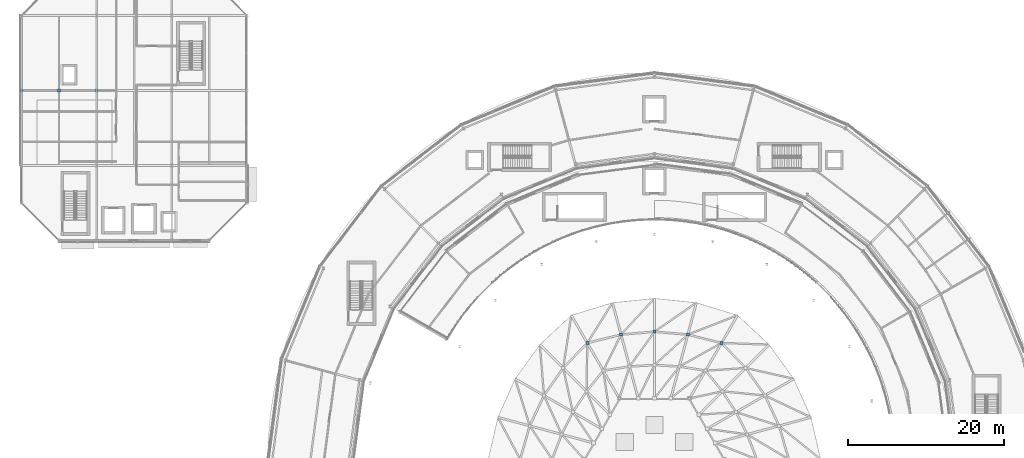
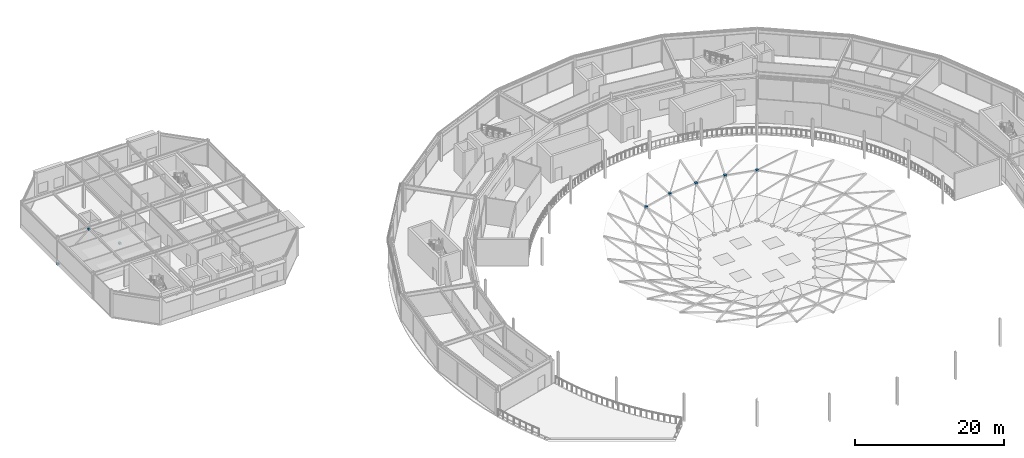
# One storey, part 80 of 116: 8 plates.
"""IFC4 building model written with IfcOpenShell, lengths in metres."""

from ifc_helpers import new_model, si_unit, direction, frame, origin, origin_2d, place, context, subcontext, project, spatial, rectangle, extrude, material, layer, layer_set, type_object, element, save


model = new_model("IFC4")

# Units and contexts
model_context = context("Model", 3, precision=1e-05, world=origin(), true_north=direction((0.0, 1.0)))
body_context = subcontext(model_context, "Body", "Model", "MODEL_VIEW")
ifc_project = project(units=[si_unit("LENGTHUNIT", "METRE"), si_unit("AREAUNIT", "SQUARE_METRE"), si_unit("VOLUMEUNIT", "CUBIC_METRE"), si_unit("PLANEANGLEUNIT", "RADIAN"), si_unit("MASSUNIT", "GRAM", prefix="KILO")], contexts=[model_context])

# Site, building, storey
site_placement = place(None, origin())
site = spatial("IfcSite", under=ifc_project, at=site_placement, CompositionType="ELEMENT")
building_placement = place(site_placement, origin())
building = spatial("IfcBuilding", under=site, at=building_placement, Name="Almandine Court Research Institute", CompositionType="ELEMENT")
storey_placement = place(building_placement, frame((0.0, 0.0, 14.35009765625)))
storey = spatial("IfcBuildingStorey", under=building, at=storey_placement, Name="L03", CompositionType="ELEMENT", Elevation=14.35009765625)

# Plates
ifc_material = material(Name="Steel ASTM A36", Category="steel")
ifc_layer_1 = layer(ifc_material, 0.3798828125)
ifc_layer_set_1 = layer_set([ifc_layer_1], Name="Steel ASTM A36")
plate_type_1 = type_object("IfcPlateType", Name="Plate-NP-02", PredefinedType="SHEET", material=ifc_layer_set_1)
for number, where, z_axis, x_axis, name in (
    (1, (95.593017578125, 70.883056640625, 3.323974609375), (0.0, 0.0, 1.0), (1.0, 0.0, 0.0), "Atrium Conical Gridshell Welded Star Node R5-S04"),
    (2, (91.27587890625, 71.9580078125, 3.323974609375), (0.0, 0.0, 1.0), (1.0, 0.0, 0.0), "Atrium Conical Gridshell Welded Star Node R5-S05"),
    (3, (87.0, 72.323974609375, 3.323974609375), (0.0, 0.0, 1.0), (1.0, 0.0, 0.0), "Atrium Conical Gridshell Welded Star Node R5-S06"),
    (4, (82.72412109375, 71.9580078125, 3.323974609375), (0.0, 0.0, 1.0), (1.0, 0.0, 0.0), "Atrium Conical Gridshell Welded Star Node R5-S07"),
    (5, (78.406982421875, 70.883056640625, 3.323974609375), (0.0, 0.0, 1.0), (1.0, 0.0, 0.0), "Atrium Conical Gridshell Welded Star Node R5-S08"),
):
    element("IfcPlate", number, at=place(storey_placement, frame(where, z_axis=z_axis, x_axis=x_axis)), inside=storey, type_object=plate_type_1, Name=name, PredefinedType="SHEET", context=body_context, shape_type="SweptSolid", body=[
        extrude(rectangle(XDim=0.3798828125, YDim=0.3798828125, at=origin_2d()), origin(), (0.0, 0.0, 1.0), 0.3798828125),
    ])
ifc_layer_2 = layer(ifc_material, 0.280029296875)
ifc_layer_set_2 = layer_set([ifc_layer_2], Name="Steel ASTM A36")
plate_type_2 = type_object("IfcPlateType", Name="Plate-NPI-03", PredefinedType="SHEET", material=ifc_layer_set_2)
for number, where, z_axis, x_axis, name in (
    (6, (6.0, 103.199951171875, -0.1201171875), (0.0, 0.0, 1.0), (1.0, 0.0, 0.0), "L03 Seismic Brace Gusset Cap Plate V3-BF1-BL"),
    (7, (15.60009765625, 103.199951171875, -0.1201171875), (0.0, 0.0, 1.0), (1.0, 0.0, 0.0), "L03 Seismic Brace Gusset Cap Plate V3-BF1-BR"),
    (8, (10.800048828125, 103.199951171875, 3.90966796875), (0.0, 0.0, 1.0), (1.0, 0.0, 0.0), "L03 Seismic Brace Gusset Cap Plate V3-BF1-AP"),
):
    element("IfcPlate", number, at=place(storey_placement, frame(where, z_axis=z_axis, x_axis=x_axis)), inside=storey, type_object=plate_type_2, Name=name, PredefinedType="SHEET", context=body_context, shape_type="SweptSolid", body=[
        extrude(rectangle(XDim=0.340087890625, YDim=0.340087890625, at=origin_2d()), origin(), (0.0, 0.0, 1.0), 0.280029296875),
    ])

save(model, "model.ifc")
